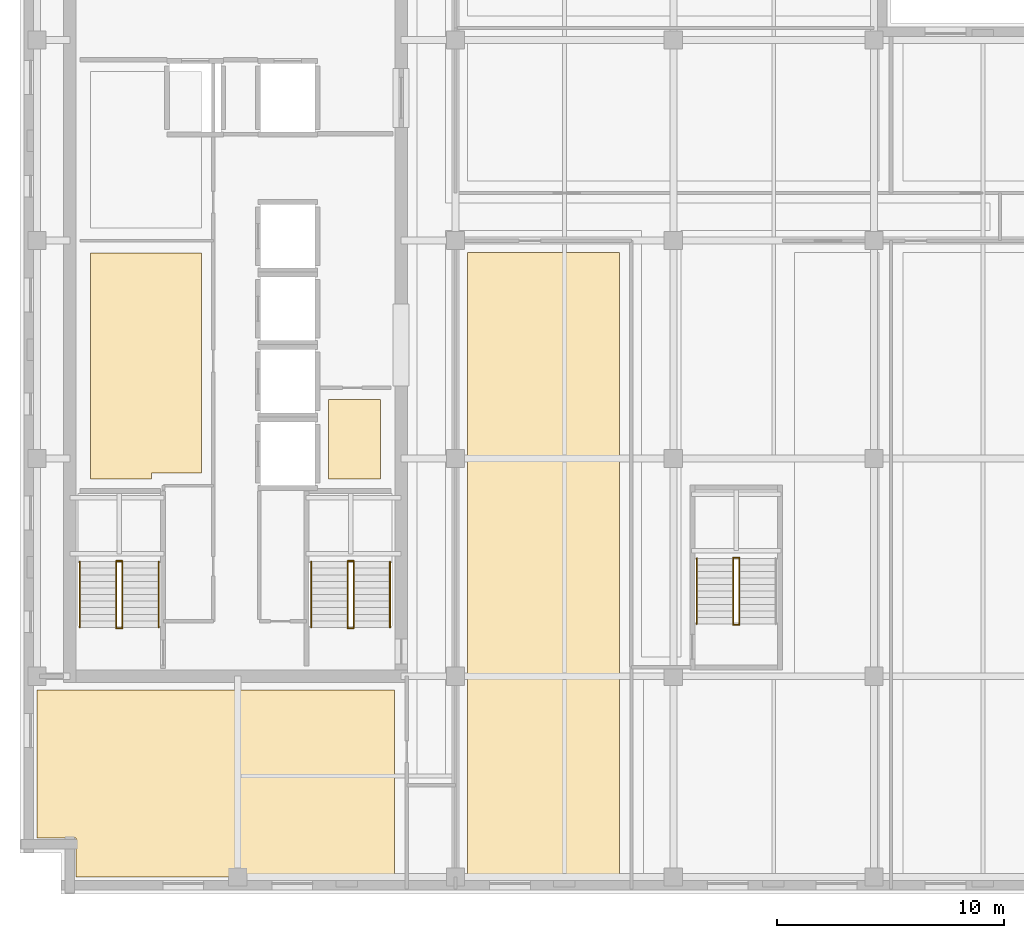
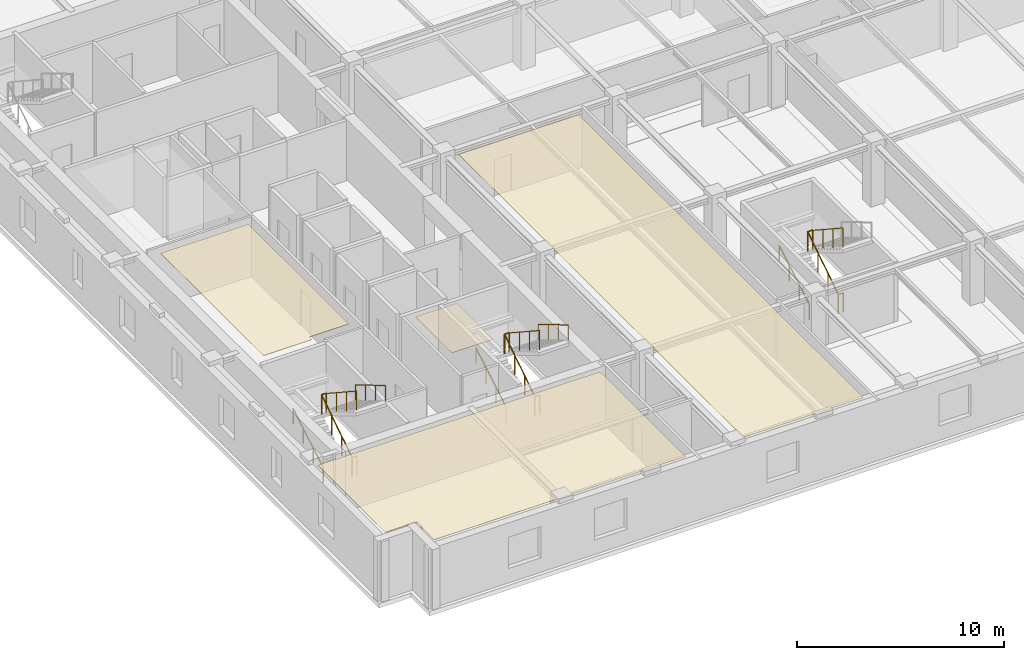
# One storey, part 8 of 12: 17 railings, 4 coverings.
"""IFC4 building model written with IfcOpenShell, lengths in metres."""

from ifc_helpers import new_model, si_unit, direction, frame, origin, origin_2d, place, context, subcontext, project, spatial, polyline, circle, outline, extrude, material, layer, layer_set, type_object, element, save


model = new_model("IFC4")

# Units and contexts
model_context = context("Model", 3, precision=1e-05, world=origin(), true_north=direction((0.0, 1.0)))
body_context = subcontext(model_context, "Body", "Model", "MODEL_VIEW")
ifc_project = project(units=[si_unit("LENGTHUNIT", "METRE"), si_unit("AREAUNIT", "SQUARE_METRE"), si_unit("VOLUMEUNIT", "CUBIC_METRE"), si_unit("PLANEANGLEUNIT", "RADIAN"), si_unit("MASSUNIT", "GRAM", prefix="KILO")], contexts=[model_context])

# Site, building, storey
site_placement = place(None, origin())
site = spatial("IfcSite", under=ifc_project, at=site_placement, CompositionType="ELEMENT")
building_placement = place(site_placement, origin())
building = spatial("IfcBuilding", under=site, at=building_placement, Name="Norrvale University Quadrangle", CompositionType="ELEMENT")
storey_placement = place(building_placement, frame((0.0, 0.0, 240.800048828125)))
storey = spatial("IfcBuildingStorey", under=building, at=storey_placement, Name="L61", CompositionType="ELEMENT", Elevation=240.800048828125)

# Coverings
ifc_material_1 = material(Name="Perforated Acoustic Mineral Ceiling")
ifc_layer_1 = layer(ifc_material_1, 0.02490234375, Name="Perforated Acoustic Mineral Ceiling")
ifc_layer_set_1 = layer_set([ifc_layer_1], Name="Perforated Acoustic Mineral Ceiling")
covering_type_1 = type_object("IfcCoveringType", Name="Covering Acoustic Ceiling 25", PredefinedType="CEILING", material=ifc_layer_set_1)
covering_1_placement = place(storey_placement, frame((0.0, 0.0, 3.514892578125)))
element("IfcCovering", 1, at=covering_1_placement, inside=storey, type_object=covering_type_1, Name="Acoustic Ceiling RM-L61-REC2", PredefinedType="CEILING", context=body_context, shape_type="SweptSolid", body=[
    extrude(outline(polyline([(3.10009765625, 18.300048828125), (3.10009765625, 28.25), (8.0, 28.25), (8.0, 18.550048828125), (5.800048828125, 18.550048828125), (5.800048828125, 18.300048828125), (3.10009765625, 18.300048828125)])), origin(), (0.0, 0.0, 1.0), 0.025146484375),
])
covering_2_placement = place(storey_placement, frame((0.0, 0.0, 3.514892578125)))
element("IfcCovering", 2, at=covering_2_placement, inside=storey, type_object=covering_type_1, Name="Acoustic Ceiling RM-L61-SW1", PredefinedType="CEILING", context=body_context, shape_type="SweptSolid", body=[
    extrude(outline(polyline([(0.75, 9.0), (16.5, 9.0), (16.5, 0.75), (2.469970703125, 0.75), (2.469970703125, 2.469970703125), (0.75, 2.469970703125), (0.75, 9.0)])), origin(), (0.0, 0.0, 1.0), 0.025146484375),
])
covering_3_placement = place(storey_placement, frame((0.0, 0.0, 3.514892578125)))
element("IfcCovering", 3, at=covering_3_placement, inside=storey, type_object=covering_type_1, Name="Acoustic Ceiling RM-L61-SE1", PredefinedType="CEILING", context=body_context, shape_type="SweptSolid", body=[
    extrude(outline(polyline([(19.72998046875, 28.27001953125), (26.419921875, 28.27001953125), (26.419921875, 0.75), (19.72998046875, 0.75), (19.72998046875, 28.27001953125)])), origin(), (0.0, 0.0, 1.0), 0.025146484375),
])
ifc_material_2 = material(Name="Polished Terrazzo Flooring")
ifc_layer_2 = layer(ifc_material_2, 0.02490234375, Name="Polished Terrazzo Flooring")
ifc_layer_set_2 = layer_set([ifc_layer_2], Name="Polished Terrazzo Flooring")
covering_type_2 = type_object("IfcCoveringType", Name="Covering Terrazzo Floor 30", PredefinedType="FLOORING", material=ifc_layer_set_2)
covering_4_placement = place(storey_placement, origin())
element("IfcCovering", 4, at=covering_4_placement, inside=storey, type_object=covering_type_2, Name="Terrazzo Flooring RM-L61-JAN", PredefinedType="FLOORING", context=body_context, shape_type="SweptSolid", body=[
    extrude(outline(polyline([(13.60009765625, 18.300048828125), (13.60009765625, 21.800048828125), (15.89990234375, 21.800048828125), (15.89990234375, 18.300048828125), (13.60009765625, 18.300048828125)])), origin(), (0.0, 0.0, 1.0), 0.02490234375),
])

# Railings
ifc_material_3 = material(Name="Steel 350W Painted Balustrade", Category="steel")
railing_type_1 = type_object("IfcRailingType", Name="Railing Stair Guard 1100", PredefinedType="GUARDRAIL", material=ifc_material_3)
for number, where, name in (
    (5, (4.239990234375, 11.719970703125, 0.0), "Stair Floor Well Guard ST-01 L61"),
    (6, (4.239990234375, 14.679931640625, 1.89990234375), "Stair Mid-Landing Slot Guard ST-01 L61"),
):
    element("IfcRailing", number, at=place(storey_placement, frame(where)), inside=storey, type_object=railing_type_1, Name=name, PredefinedType="GUARDRAIL", context=body_context, shape_type="SweptSolid", body=[
        extrude(circle(Radius=0.02392578125, at=origin_2d()), frame((0.0, 0.0, 1.1259765625), z_axis=(1.0, 0.0, 0.0), x_axis=(0.0, 1.0, 0.0)), (0.0, 0.0, 1.0), 0.27001953125),
        extrude(circle(Radius=0.02099609375, at=origin_2d()), origin(), (0.0, 0.0, 1.0), 1.101806640625),
        extrude(circle(Radius=0.02099609375, at=origin_2d()), frame((0.27001953125, 0.0, 0.0)), (0.0, 0.0, 1.0), 1.101806640625),
    ])
railing_1_placement = place(storey_placement, frame((4.239990234375, 11.75, 0.0)))
element("IfcRailing", 7, at=railing_1_placement, inside=storey, type_object=railing_type_1, Name="Stair Lower Flight Inner Guard ST-01 L61", PredefinedType="GUARDRAIL", context=body_context, shape_type="SweptSolid", body=[
    extrude(circle(Radius=0.02392578125, at=origin_2d()), frame((0.0, 0.0, 1.1259765625), z_axis=(0.0, 0.836465582154, 0.548019461216), x_axis=(-1.0, 0.0, 0.0)), (0.0, 0.0, 1.0), 3.466796875),
    extrude(circle(Radius=0.02099609375, at=origin_2d()), origin(), (0.0, 0.0, 1.0), 1.101806640625),
    extrude(circle(Radius=0.02099609375, at=origin_2d()), frame((0.0, 0.966552734375, 0.63330078125)), (0.0, 0.0, 1.0), 1.101806640625),
    extrude(circle(Radius=0.02099609375, at=origin_2d()), frame((0.0, 1.933349609375, 1.2666015625)), (0.0, 0.0, 1.0), 1.101806640625),
    extrude(circle(Radius=0.02099609375, at=origin_2d()), frame((0.0, 2.89990234375, 1.89990234375)), (0.0, 0.0, 1.0), 1.101806640625),
])
railing_2_placement = place(storey_placement, frame((4.510009765625, 14.64990234375, 1.89990234375)))
element("IfcRailing", 8, at=railing_2_placement, inside=storey, type_object=railing_type_1, Name="Stair Upper Flight Inner Guard ST-01 L61", PredefinedType="GUARDRAIL", context=body_context, shape_type="SweptSolid", body=[
    extrude(circle(Radius=0.02392578125, at=origin_2d()), frame((0.0, 0.0, 1.1259765625), z_axis=(0.0, -0.836433300813, 0.548068730445), x_axis=(1.0, 0.0, 0.0)), (0.0, 0.0, 1.0), 3.467041015625),
    extrude(circle(Radius=0.02099609375, at=origin_2d()), origin(), (0.0, 0.0, 1.0), 1.101806640625),
    extrude(circle(Radius=0.02099609375, at=origin_2d()), frame((0.0, -0.966552734375, 0.63330078125)), (0.0, 0.0, 1.0), 1.101806640625),
    extrude(circle(Radius=0.02099609375, at=origin_2d()), frame((0.0, -1.933349609375, 1.266845703125)), (0.0, 0.0, 1.0), 1.101806640625),
    extrude(circle(Radius=0.02099609375, at=origin_2d()), frame((0.0, -2.89990234375, 1.900146484375)), (0.0, 0.0, 1.0), 1.101806640625),
])
for number, where, name in (
    (9, (14.43994140625, 11.719970703125, 0.0), "Stair Floor Well Guard ST-03 L61"),
    (10, (14.43994140625, 14.679931640625, 1.89990234375), "Stair Mid-Landing Slot Guard ST-03 L61"),
):
    element("IfcRailing", number, at=place(storey_placement, frame(where)), inside=storey, type_object=railing_type_1, Name=name, PredefinedType="GUARDRAIL", context=body_context, shape_type="SweptSolid", body=[
        extrude(circle(Radius=0.02392578125, at=origin_2d()), frame((0.0, 0.0, 1.1259765625), z_axis=(1.0, 0.0, 0.0), x_axis=(0.0, 1.0, 0.0)), (0.0, 0.0, 1.0), 0.27001953125),
        extrude(circle(Radius=0.02099609375, at=origin_2d()), origin(), (0.0, 0.0, 1.0), 1.101806640625),
        extrude(circle(Radius=0.02099609375, at=origin_2d()), frame((0.27001953125, 0.0, 0.0)), (0.0, 0.0, 1.0), 1.101806640625),
    ])
railing_3_placement = place(storey_placement, frame((14.43994140625, 11.75, 0.0)))
element("IfcRailing", 11, at=railing_3_placement, inside=storey, type_object=railing_type_1, Name="Stair Lower Flight Inner Guard ST-03 L61", PredefinedType="GUARDRAIL", context=body_context, shape_type="SweptSolid", body=[
    extrude(circle(Radius=0.02392578125, at=origin_2d()), frame((0.0, 0.0, 1.1259765625), z_axis=(0.0, 0.836465582154, 0.548019461216), x_axis=(-1.0, 0.0, 0.0)), (0.0, 0.0, 1.0), 3.466796875),
    extrude(circle(Radius=0.02099609375, at=origin_2d()), origin(), (0.0, 0.0, 1.0), 1.101806640625),
    extrude(circle(Radius=0.02099609375, at=origin_2d()), frame((0.0, 0.966552734375, 0.63330078125)), (0.0, 0.0, 1.0), 1.101806640625),
    extrude(circle(Radius=0.02099609375, at=origin_2d()), frame((0.0, 1.933349609375, 1.2666015625)), (0.0, 0.0, 1.0), 1.101806640625),
    extrude(circle(Radius=0.02099609375, at=origin_2d()), frame((0.0, 2.89990234375, 1.89990234375)), (0.0, 0.0, 1.0), 1.101806640625),
])
railing_4_placement = place(storey_placement, frame((14.7099609375, 14.64990234375, 1.89990234375)))
element("IfcRailing", 12, at=railing_4_placement, inside=storey, type_object=railing_type_1, Name="Stair Upper Flight Inner Guard ST-03 L61", PredefinedType="GUARDRAIL", context=body_context, shape_type="SweptSolid", body=[
    extrude(circle(Radius=0.02392578125, at=origin_2d()), frame((0.0, 0.0, 1.1259765625), z_axis=(0.0, -0.836433300813, 0.548068730445), x_axis=(1.0, 0.0, 0.0)), (0.0, 0.0, 1.0), 3.467041015625),
    extrude(circle(Radius=0.02099609375, at=origin_2d()), origin(), (0.0, 0.0, 1.0), 1.101806640625),
    extrude(circle(Radius=0.02099609375, at=origin_2d()), frame((0.0, -0.966552734375, 0.63330078125)), (0.0, 0.0, 1.0), 1.101806640625),
    extrude(circle(Radius=0.02099609375, at=origin_2d()), frame((0.0, -1.933349609375, 1.266845703125)), (0.0, 0.0, 1.0), 1.101806640625),
    extrude(circle(Radius=0.02099609375, at=origin_2d()), frame((0.0, -2.89990234375, 1.900146484375)), (0.0, 0.0, 1.0), 1.101806640625),
])
for number, where, name in (
    (13, (31.43994140625, 11.8701171875, 0.0), "Stair Floor Well Guard ST-04 L61"),
    (14, (31.43994140625, 14.830078125, 1.89990234375), "Stair Mid-Landing Slot Guard ST-04 L61"),
):
    element("IfcRailing", number, at=place(storey_placement, frame(where)), inside=storey, type_object=railing_type_1, Name=name, PredefinedType="GUARDRAIL", context=body_context, shape_type="SweptSolid", body=[
        extrude(circle(Radius=0.02392578125, at=origin_2d()), frame((0.0, 0.0, 1.1259765625), z_axis=(1.0, 0.0, 0.0), x_axis=(0.0, 1.0, 0.0)), (0.0, 0.0, 1.0), 0.27001953125),
        extrude(circle(Radius=0.02099609375, at=origin_2d()), origin(), (0.0, 0.0, 1.0), 1.101806640625),
        extrude(circle(Radius=0.02099609375, at=origin_2d()), frame((0.27001953125, 0.0, 0.0)), (0.0, 0.0, 1.0), 1.101806640625),
    ])
railing_5_placement = place(storey_placement, frame((31.43994140625, 11.89990234375, 0.0)))
element("IfcRailing", 15, at=railing_5_placement, inside=storey, type_object=railing_type_1, Name="Stair Lower Flight Inner Guard ST-04 L61", PredefinedType="GUARDRAIL", context=body_context, shape_type="SweptSolid", body=[
    extrude(circle(Radius=0.02392578125, at=origin_2d()), frame((0.0, 0.0, 1.1259765625), z_axis=(0.0, 0.836486729621, 0.547987181573), x_axis=(-1.0, 0.0, 0.0)), (0.0, 0.0, 1.0), 3.467041015625),
    extrude(circle(Radius=0.02099609375, at=origin_2d()), origin(), (0.0, 0.0, 1.0), 1.101806640625),
    extrude(circle(Radius=0.02099609375, at=origin_2d()), frame((0.0, 0.966796875, 0.63330078125)), (0.0, 0.0, 1.0), 1.101806640625),
    extrude(circle(Radius=0.02099609375, at=origin_2d()), frame((0.0, 1.933349609375, 1.2666015625)), (0.0, 0.0, 1.0), 1.101806640625),
    extrude(circle(Radius=0.02099609375, at=origin_2d()), frame((0.0, 2.900146484375, 1.89990234375)), (0.0, 0.0, 1.0), 1.101806640625),
])
railing_6_placement = place(storey_placement, frame((31.7099609375, 14.800048828125, 1.89990234375)))
element("IfcRailing", 16, at=railing_6_placement, inside=storey, type_object=railing_type_1, Name="Stair Upper Flight Inner Guard ST-04 L61", PredefinedType="GUARDRAIL", context=body_context, shape_type="SweptSolid", body=[
    extrude(circle(Radius=0.02392578125, at=origin_2d()), frame((0.0, 0.0, 1.1259765625), z_axis=(0.0, -0.836454451266, 0.548036450392), x_axis=(1.0, 0.0, 0.0)), (0.0, 0.0, 1.0), 3.46728515625),
    extrude(circle(Radius=0.02099609375, at=origin_2d()), origin(), (0.0, 0.0, 1.0), 1.101806640625),
    extrude(circle(Radius=0.02099609375, at=origin_2d()), frame((0.0, -0.966796875, 0.63330078125)), (0.0, 0.0, 1.0), 1.101806640625),
    extrude(circle(Radius=0.02099609375, at=origin_2d()), frame((0.0, -1.933349609375, 1.266845703125)), (0.0, 0.0, 1.0), 1.101806640625),
    extrude(circle(Radius=0.02099609375, at=origin_2d()), frame((0.0, -2.900146484375, 1.900146484375)), (0.0, 0.0, 1.0), 1.101806640625),
])
ifc_material_4 = material(Name="Stainless Steel 316L Handrail", Category="steel")
railing_type_2 = type_object("IfcRailingType", Name="Railing Stair Handrail 920", PredefinedType="HANDRAIL", material=ifc_material_4)
railing_7_placement = place(storey_placement, frame((2.639892578125, 11.75, 0.172607421875)))
element("IfcRailing", 17, at=railing_7_placement, inside=storey, type_object=railing_type_2, Name="Stair Lower Flight Handrail ST-01 L61", PredefinedType="HANDRAIL", context=body_context, shape_type="SweptSolid", body=[
    extrude(circle(Radius=0.02392578125, at=origin_2d()), frame((0.0, 0.0, 0.89599609375), z_axis=(0.0, 0.859141464434, 0.511738159696), x_axis=(-1.0, 0.0, 0.0)), (0.0, 0.0, 1.0), 3.375244140625),
    extrude(circle(Radius=0.02099609375, at=origin_2d()), origin(), (0.0, 0.0, 1.0), 0.871826171875),
    extrude(circle(Radius=0.02099609375, at=origin_2d()), frame((0.0, 0.966552734375, 0.57568359375)), (0.0, 0.0, 1.0), 0.871826171875),
    extrude(circle(Radius=0.02099609375, at=origin_2d()), frame((0.0, 1.933349609375, 1.151611328125)), (0.0, 0.0, 1.0), 0.871826171875),
    extrude(circle(Radius=0.02099609375, at=origin_2d()), frame((0.0, 2.89990234375, 1.727294921875)), (0.0, 0.0, 1.0), 0.871826171875),
])
railing_8_placement = place(storey_placement, frame((6.110107421875, 14.64990234375, 2.07275390625)))
element("IfcRailing", 18, at=railing_8_placement, inside=storey, type_object=railing_type_2, Name="Stair Upper Flight Handrail ST-01 L61", PredefinedType="HANDRAIL", context=body_context, shape_type="SweptSolid", body=[
    extrude(circle(Radius=0.02392578125, at=origin_2d()), frame((0.0, 0.0, 0.89599609375), z_axis=(0.0, -0.859141464434, 0.511738159696), x_axis=(1.0, 0.0, 0.0)), (0.0, 0.0, 1.0), 3.375244140625),
    extrude(circle(Radius=0.02099609375, at=origin_2d()), origin(), (0.0, 0.0, 1.0), 0.871826171875),
    extrude(circle(Radius=0.02099609375, at=origin_2d()), frame((0.0, -0.966552734375, 0.57568359375)), (0.0, 0.0, 1.0), 0.871826171875),
    extrude(circle(Radius=0.02099609375, at=origin_2d()), frame((0.0, -1.933349609375, 1.151611328125)), (0.0, 0.0, 1.0), 0.871826171875),
    extrude(circle(Radius=0.02099609375, at=origin_2d()), frame((0.0, -2.89990234375, 1.727294921875)), (0.0, 0.0, 1.0), 0.871826171875),
])
railing_9_placement = place(storey_placement, frame((12.840087890625, 11.75, 0.172607421875)))
element("IfcRailing", 19, at=railing_9_placement, inside=storey, type_object=railing_type_2, Name="Stair Lower Flight Handrail ST-03 L61", PredefinedType="HANDRAIL", context=body_context, shape_type="SweptSolid", body=[
    extrude(circle(Radius=0.02392578125, at=origin_2d()), frame((0.0, 0.0, 0.89599609375), z_axis=(0.0, 0.859141464434, 0.511738159696), x_axis=(-1.0, 0.0, 0.0)), (0.0, 0.0, 1.0), 3.375244140625),
    extrude(circle(Radius=0.02099609375, at=origin_2d()), origin(), (0.0, 0.0, 1.0), 0.871826171875),
    extrude(circle(Radius=0.02099609375, at=origin_2d()), frame((0.0, 0.966552734375, 0.57568359375)), (0.0, 0.0, 1.0), 0.871826171875),
    extrude(circle(Radius=0.02099609375, at=origin_2d()), frame((0.0, 1.933349609375, 1.151611328125)), (0.0, 0.0, 1.0), 0.871826171875),
    extrude(circle(Radius=0.02099609375, at=origin_2d()), frame((0.0, 2.89990234375, 1.727294921875)), (0.0, 0.0, 1.0), 0.871826171875),
])
railing_10_placement = place(storey_placement, frame((16.31005859375, 14.64990234375, 2.07275390625)))
element("IfcRailing", 20, at=railing_10_placement, inside=storey, type_object=railing_type_2, Name="Stair Upper Flight Handrail ST-03 L61", PredefinedType="HANDRAIL", context=body_context, shape_type="SweptSolid", body=[
    extrude(circle(Radius=0.02392578125, at=origin_2d()), frame((0.0, 0.0, 0.89599609375), z_axis=(0.0, -0.859141464434, 0.511738159696), x_axis=(1.0, 0.0, 0.0)), (0.0, 0.0, 1.0), 3.375244140625),
    extrude(circle(Radius=0.02099609375, at=origin_2d()), origin(), (0.0, 0.0, 1.0), 0.871826171875),
    extrude(circle(Radius=0.02099609375, at=origin_2d()), frame((0.0, -0.966552734375, 0.57568359375)), (0.0, 0.0, 1.0), 0.871826171875),
    extrude(circle(Radius=0.02099609375, at=origin_2d()), frame((0.0, -1.933349609375, 1.151611328125)), (0.0, 0.0, 1.0), 0.871826171875),
    extrude(circle(Radius=0.02099609375, at=origin_2d()), frame((0.0, -2.89990234375, 1.727294921875)), (0.0, 0.0, 1.0), 0.871826171875),
])
railing_11_placement = place(storey_placement, frame((29.840087890625, 11.89990234375, 0.172607421875)))
element("IfcRailing", 21, at=railing_11_placement, inside=storey, type_object=railing_type_2, Name="Stair Lower Flight Handrail ST-04 L61", PredefinedType="HANDRAIL", context=body_context, shape_type="SweptSolid", body=[
    extrude(circle(Radius=0.02392578125, at=origin_2d()), frame((0.0, 0.0, 0.89599609375), z_axis=(0.0, 0.859160404282, 0.51170636083), x_axis=(-1.0, 0.0, 0.0)), (0.0, 0.0, 1.0), 3.37548828125),
    extrude(circle(Radius=0.02099609375, at=origin_2d()), origin(), (0.0, 0.0, 1.0), 0.871826171875),
    extrude(circle(Radius=0.02099609375, at=origin_2d()), frame((0.0, 0.966796875, 0.57568359375)), (0.0, 0.0, 1.0), 0.871826171875),
    extrude(circle(Radius=0.02099609375, at=origin_2d()), frame((0.0, 1.933349609375, 1.151611328125)), (0.0, 0.0, 1.0), 0.871826171875),
    extrude(circle(Radius=0.02099609375, at=origin_2d()), frame((0.0, 2.900146484375, 1.727294921875)), (0.0, 0.0, 1.0), 0.871826171875),
])

save(model, "model.ifc")
